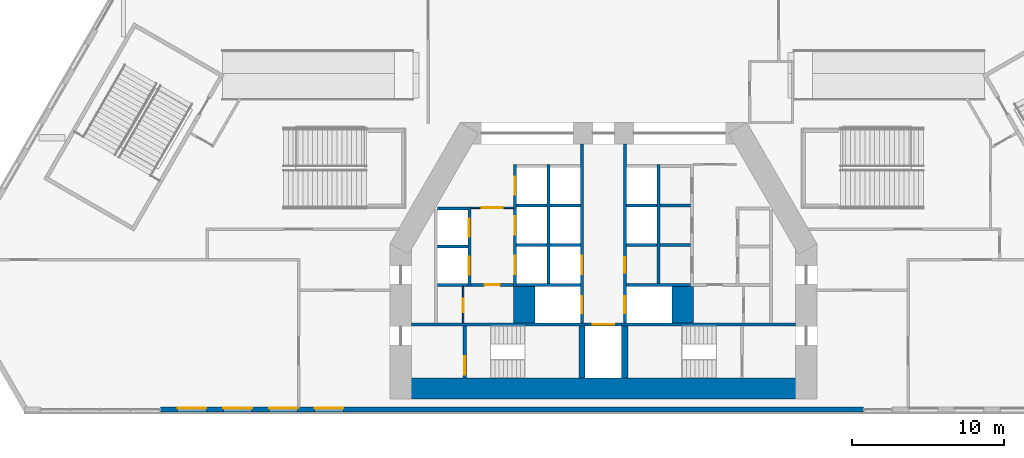
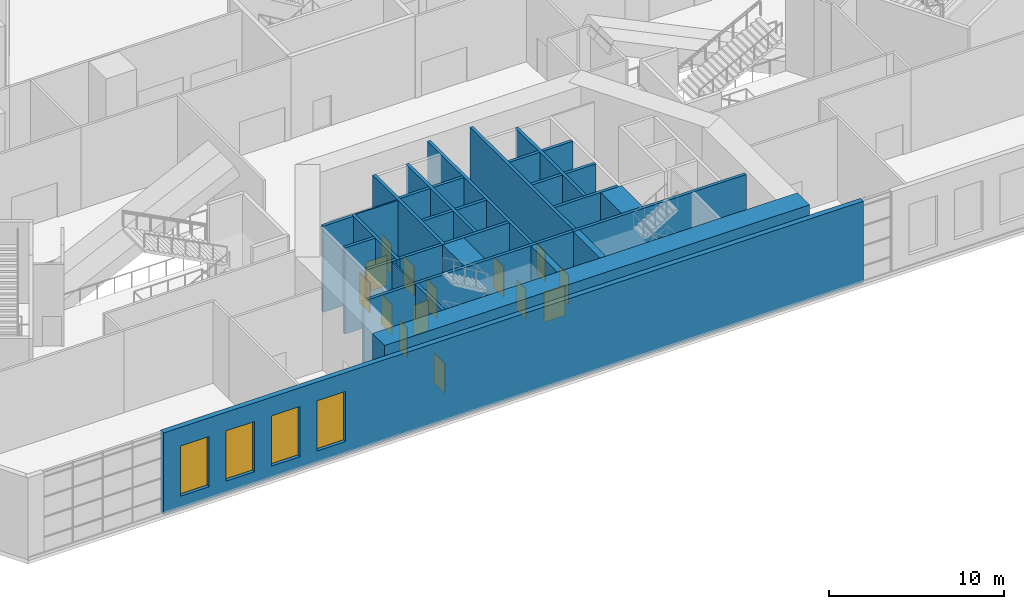
# One storey, part 15 of 27: 32 walls, 14 doors, 4 windows, 18 openings.
"""IFC4 building model written with IfcOpenShell, lengths in metres."""

from ifc_helpers import new_model, si_unit, direction, frame, frame_2d, origin, place, context, subcontext, project, spatial, rectangle, extrude, material, layer, layer_set, type_object, element, fill, save


model = new_model("IFC4")

# Units and contexts
model_context = context("Model", 3, precision=1e-05, world=origin(), true_north=direction((0.0, 1.0)))
body_context = subcontext(model_context, "Body", "Model", "MODEL_VIEW")
ifc_project = project(units=[si_unit("LENGTHUNIT", "METRE"), si_unit("AREAUNIT", "SQUARE_METRE"), si_unit("VOLUMEUNIT", "CUBIC_METRE"), si_unit("PLANEANGLEUNIT", "RADIAN"), si_unit("MASSUNIT", "GRAM", prefix="KILO")], contexts=[model_context])

# Site, building, storey
site_placement = place(None, origin())
site = spatial("IfcSite", under=ifc_project, at=site_placement, CompositionType="ELEMENT")
building_placement = place(site_placement, origin())
building = spatial("IfcBuilding", under=site, at=building_placement, Name="Fogline Exchange Tower", CompositionType="ELEMENT")
storey_placement = place(building_placement, frame((0.0, 0.0, 8.0)))
storey = spatial("IfcBuildingStorey", under=building, at=storey_placement, Name="L01", CompositionType="ELEMENT", Elevation=8.0)

# Wall, opening, door
ifc_material_1 = material(Name="Blockwork partition", Category="masonry")
ifc_layer_1 = layer(ifc_material_1, 0.10009765625)
ifc_layer_set_1 = layer_set([ifc_layer_1], Name="CW10")
wall_type_1 = type_object("IfcWallType", Name="CW10", PredefinedType="PARTITIONING", material=ifc_layer_set_1)
wall_1_placement = place(storey_placement, frame((-8.699951171875, 13.39990234375, 0.0), z_axis=(0.0, 0.0, 1.0), x_axis=(1.0, 0.0, 0.0)))
wall_1 = element("IfcWall", 1, at=wall_1_placement, inside=storey, type_object=wall_type_1, Name="Lift lobby partition", PredefinedType="PARTITIONING", context=body_context, shape_type="SweptSolid", body=[
    extrude(rectangle(XDim=2.800048828125, YDim=0.10009765625, at=frame_2d((1.39990234375, 0.0))), origin(), (0.0, 0.0, 1.0), 5.699951171875),
])
opening_1_placement = place(wall_1_placement, frame((0.699951171875, 0.0, 0.0)))
opening_1 = element("IfcOpeningElement", 2, at=opening_1_placement, cuts=wall_1, Name="Opening P01-C007", PredefinedType="OPENING", context=body_context, shape_type="SweptSolid", body=[
    extrude(rectangle(XDim=1.39990234375, YDim=2.10009765625, at=frame_2d((0.699951171875, 1.050048828125))), frame((0.0, 0.06005859375, 0.0), z_axis=(0.0, -1.0, 0.0), x_axis=(1.0, 0.0, 0.0)), (0.0, 0.0, 1.0), 0.1201171875),
])
ifc_material_2 = material(Name="Steel and timber fire door", Category="steel")
door_type_1 = type_object("IfcDoorType", Name="D-LB1", OperationType="DOUBLE_DOOR_SINGLE_SWING", PredefinedType="DOOR", material=ifc_material_2)
door_1_placement = place(opening_1_placement, frame((1.39990234375, 0.0, 0.0), z_axis=(0.0, 0.0, 1.0), x_axis=(-1.0, 0.0, 0.0)))
door_1 = element("IfcDoor", 3, at=door_1_placement, inside=storey, type_object=door_type_1, Name="Door to lift lobby", OperationType="DOUBLE_DOOR_SINGLE_SWING", OverallHeight=2.10009765625, OverallWidth=1.39990234375, PredefinedType="DOOR", context=body_context, shape_type="SweptSolid", body=[
    extrude(rectangle(XDim=1.39990234375, YDim=2.10009765625, at=frame_2d((0.699951171875, 1.050048828125))), frame((0.0, 0.02490234375, 0.0), z_axis=(0.0, -1.0, 0.0), x_axis=(1.0, 0.0, 0.0)), (0.0, 0.0, 1.0), 0.050048828125),
])
fill(opening_1, door_1)

wall_2_placement = place(storey_placement, frame((-9.199951171875, 5.85009765625, 0.0), z_axis=(0.0, 0.0, 1.0), x_axis=(0.0, 1.0, 0.0)))
wall_2 = element("IfcWall", 4, at=wall_2_placement, inside=storey, type_object=wall_type_1, Name="WC partition", PredefinedType="PARTITIONING", context=body_context, shape_type="SweptSolid", body=[
    extrude(rectangle(XDim=2.39990234375, YDim=0.10009765625, at=frame_2d((1.199951171875, 0.0))), origin(), (0.0, 0.0, 1.0), 5.699951171875),
])
opening_2_placement = place(wall_2_placement, frame((0.699951171875, 0.0, 0.0)))
opening_2 = element("IfcOpeningElement", 5, at=opening_2_placement, cuts=wall_2, Name="Opening P01-C009", PredefinedType="OPENING", context=body_context, shape_type="SweptSolid", body=[
    extrude(rectangle(XDim=0.89990234375, YDim=2.10009765625, at=frame_2d((0.449951171875, 1.050048828125))), frame((0.0, 0.06005859375, 0.0), z_axis=(0.0, -1.0, 0.0), x_axis=(1.0, 0.0, 0.0)), (0.0, 0.0, 1.0), 0.1201171875),
])
door_type_2 = type_object("IfcDoorType", Name="D-CS1", OperationType="SINGLE_SWING_RIGHT", PredefinedType="DOOR", material=ifc_material_2)
door_2_placement = place(opening_2_placement, origin())
door_2 = element("IfcDoor", 6, at=door_2_placement, inside=storey, type_object=door_type_2, Name="Door to Cleaner's Store", OperationType="SINGLE_SWING_LEFT", OverallHeight=2.10009765625, OverallWidth=0.89990234375, PredefinedType="DOOR", context=body_context, shape_type="SweptSolid", body=[
    extrude(rectangle(XDim=0.89990234375, YDim=2.10009765625, at=frame_2d((0.449951171875, 1.050048828125))), frame((0.0, 0.02490234375, 0.0), z_axis=(0.0, -1.0, 0.0), x_axis=(1.0, 0.0, 0.0)), (0.0, 0.0, 1.0), 0.050048828125),
])
fill(opening_2, door_2)

# Walls
ifc_material_3 = material(Name="Concrete C60", Category="concrete")
ifc_layer_2 = layer(ifc_material_3, 1.39990234375)
ifc_layer_set_2 = layer_set([ifc_layer_2], Name="CW140")
wall_type_2 = type_object("IfcWallType", Name="CW140", PredefinedType="SOLIDWALL", material=ifc_layer_set_2)
for number, where, z_axis, x_axis, name in (
    (7, (-5.199951171875, 5.85009765625, -0.300048828125), (0.0, 0.0, 1.0), (0.0, 1.0, 0.0), "Lift shaft block wall"),
    (8, (5.199951171875, 5.85009765625, -0.300048828125), (0.0, 0.0, 1.0), (0.0, 1.0, 0.0), "Lift shaft block wall"),
):
    element("IfcWall", number, at=place(storey_placement, frame(where, z_axis=z_axis, x_axis=x_axis)), inside=storey, type_object=wall_type_2, Name=name, PredefinedType="SOLIDWALL", context=body_context, shape_type="SweptSolid", body=[
        extrude(rectangle(XDim=2.39990234375, YDim=1.39990234375, at=frame_2d((1.199951171875, 0.0))), origin(), (0.0, 0.0, 1.0), 6.0),
    ])

# Wall, opening, door
ifc_material_4 = material(Name="Concrete C40", Category="concrete")
ifc_layer_3 = layer(ifc_material_4, 0.199951171875)
ifc_layer_set_3 = layer_set([ifc_layer_3], Name="CW20")
wall_type_3 = type_object("IfcWallType", Name="CW20", PredefinedType="SOLIDWALL", material=ifc_layer_set_3)
wall_3_placement = place(storey_placement, frame((-8.699951171875, 8.35009765625, 0.0), z_axis=(0.0, 0.0, 1.0), x_axis=(1.0, 0.0, 0.0)))
wall_3 = element("IfcWall", 9, at=wall_3_placement, inside=storey, type_object=wall_type_3, Name="WC wall", PredefinedType="SOLIDWALL", context=body_context, shape_type="SweptSolid", body=[
    extrude(rectangle(XDim=2.800048828125, YDim=0.199951171875, at=frame_2d((1.39990234375, 0.0))), origin(), (0.0, 0.0, 1.0), 5.699951171875),
])
opening_3_placement = place(wall_3_placement, frame((0.89990234375, 0.0, 0.0)))
opening_3 = element("IfcOpeningElement", 10, at=opening_3_placement, cuts=wall_3, Name="Opening P01-C008", PredefinedType="OPENING", context=body_context, shape_type="SweptSolid", body=[
    extrude(rectangle(XDim=1.0, YDim=2.10009765625, at=frame_2d((0.5, 1.050048828125))), frame((0.0, 0.10986328125, 0.0), z_axis=(0.0, -1.0, 0.0), x_axis=(1.0, 0.0, 0.0)), (0.0, 0.0, 1.0), 0.219970703125),
])
door_type_3 = type_object("IfcDoorType", Name="D-WC1", OperationType="SINGLE_SWING_LEFT", PredefinedType="DOOR", material=ifc_material_2)
door_3_placement = place(opening_3_placement, frame((1.0, 0.0, 0.0), z_axis=(0.0, 0.0, 1.0), x_axis=(-1.0, 0.0, 0.0)))
door_3 = element("IfcDoor", 11, at=door_3_placement, inside=storey, type_object=door_type_3, Name="Door to Men's WC", OperationType="SINGLE_SWING_LEFT", OverallHeight=2.10009765625, OverallWidth=1.0, PredefinedType="DOOR", context=body_context, shape_type="SweptSolid", body=[
    extrude(rectangle(XDim=1.0, YDim=2.10009765625, at=frame_2d((0.5, 1.050048828125))), frame((0.0, 0.02490234375, 0.0), z_axis=(0.0, -1.0, 0.0), x_axis=(1.0, 0.0, 0.0)), (0.0, 0.0, 1.0), 0.050048828125),
])
fill(opening_3, door_3)

# Wall
ifc_layer_4 = layer(ifc_material_4, 0.199951171875)
ifc_layer_set_4 = layer_set([ifc_layer_4], Name="CW20R")
wall_type_4 = type_object("IfcWallType", Name="CW20R", PredefinedType="SOLIDWALL", material=ifc_layer_set_4)
wall_4_placement = place(storey_placement, frame((-12.60009765625, 5.75, -0.300048828125), z_axis=(0.0, 0.0, 1.0), x_axis=(1.0, 0.0, 0.0)))
element("IfcWall", 12, at=wall_4_placement, inside=storey, type_object=wall_type_4, Name="Stair enclosure wall", PredefinedType="SOLIDWALL", context=body_context, shape_type="SweptSolid", body=[
    extrude(rectangle(XDim=11.400146484375, YDim=0.199951171875, at=frame_2d((5.7001953125, 0.0))), origin(), (0.0, 0.0, 1.0), 6.0),
])

# Wall, opening, door
wall_5_placement = place(storey_placement, frame((-1.199951171875, 5.75, -0.300048828125), z_axis=(0.0, 0.0, 1.0), x_axis=(1.0, 0.0, 0.0)))
wall_5 = element("IfcWall", 13, at=wall_5_placement, inside=storey, type_object=wall_type_4, Name="Stair enclosure wall", PredefinedType="SOLIDWALL", context=body_context, shape_type="SweptSolid", body=[
    extrude(rectangle(XDim=2.39990234375, YDim=0.199951171875, at=frame_2d((1.199951171875, 0.0))), origin(), (0.0, 0.0, 1.0), 6.0),
])
opening_4_placement = place(wall_5_placement, frame((0.5, 0.0, 0.300048828125)))
opening_4 = element("IfcOpeningElement", 14, at=opening_4_placement, cuts=wall_5, Name="Opening P01-LD09", PredefinedType="OPENING", context=body_context, shape_type="SweptSolid", body=[
    extrude(rectangle(XDim=1.39990234375, YDim=2.10009765625, at=frame_2d((0.699951171875, 1.050048828125))), frame((0.0, 0.10986328125, 0.0), z_axis=(0.0, -1.0, 0.0), x_axis=(1.0, 0.0, 0.0)), (0.0, 0.0, 1.0), 0.219970703125),
])
door_type_4 = type_object("IfcDoorType", Name="LD3", OperationType="SLIDING_TO_LEFT", PredefinedType="DOOR", material=ifc_material_2)
door_4_placement = place(opening_4_placement, origin())
door_4 = element("IfcDoor", 15, at=door_4_placement, inside=storey, type_object=door_type_4, Name="Landing door GL1", OperationType="SLIDING_TO_LEFT", OverallHeight=2.10009765625, OverallWidth=1.39990234375, PredefinedType="DOOR", context=body_context, shape_type="SweptSolid", body=[
    extrude(rectangle(XDim=1.39990234375, YDim=2.10009765625, at=frame_2d((0.699951171875, 1.050048828125))), frame((0.0, 0.02490234375, 0.0), z_axis=(0.0, -1.0, 0.0), x_axis=(1.0, 0.0, 0.0)), (0.0, 0.0, 1.0), 0.050048828125),
])
fill(opening_4, door_4)

# Wall
wall_6_placement = place(storey_placement, frame((1.199951171875, 5.75, -0.300048828125), z_axis=(0.0, 0.0, 1.0), x_axis=(1.0, 0.0, 0.0)))
element("IfcWall", 16, at=wall_6_placement, inside=storey, type_object=wall_type_4, Name="Stair enclosure wall", PredefinedType="SOLIDWALL", context=body_context, shape_type="SweptSolid", body=[
    extrude(rectangle(XDim=11.400146484375, YDim=0.199951171875, at=frame_2d((5.7001953125, 0.0))), origin(), (0.0, 0.0, 1.0), 6.0),
])

# Wall, opening, door
wall_7_placement = place(storey_placement, frame((-9.10009765625, 2.25, -0.300048828125), z_axis=(0.0, 0.0, 1.0), x_axis=(0.0, 1.0, 0.0)))
wall_7 = element("IfcWall", 17, at=wall_7_placement, inside=storey, type_object=wall_type_4, Name="Stair enclosure wall", PredefinedType="SOLIDWALL", context=body_context, shape_type="SweptSolid", body=[
    extrude(rectangle(XDim=3.39990234375, YDim=0.199951171875, at=frame_2d((1.699951171875, 0.0))), origin(), (0.0, 0.0, 1.0), 6.0),
])
opening_5_placement = place(wall_7_placement, frame((0.199951171875, 0.0, 0.300048828125)))
opening_5 = element("IfcOpeningElement", 18, at=opening_5_placement, cuts=wall_7, Name="Opening P01-C011", PredefinedType="OPENING", context=body_context, shape_type="SweptSolid", body=[
    extrude(rectangle(XDim=1.199951171875, YDim=2.10009765625, at=frame_2d((0.60009765625, 1.050048828125))), frame((0.0, 0.10986328125, 0.0), z_axis=(0.0, -1.0, 0.0), x_axis=(1.0, 0.0, 0.0)), (0.0, 0.0, 1.0), 0.219970703125),
])
door_type_5 = type_object("IfcDoorType", Name="D-ST1", OperationType="SINGLE_SWING_LEFT", PredefinedType="DOOR", material=ifc_material_2)
door_5_placement = place(opening_5_placement, frame((1.199951171875, 0.0, 0.0), z_axis=(0.0, 0.0, 1.0), x_axis=(-1.0, 0.0, 0.0)))
door_5 = element("IfcDoor", 19, at=door_5_placement, inside=storey, type_object=door_type_5, Name="Stair door ST1", OperationType="SINGLE_SWING_RIGHT", OverallHeight=2.10009765625, OverallWidth=1.199951171875, PredefinedType="DOOR", context=body_context, shape_type="SweptSolid", body=[
    extrude(rectangle(XDim=1.199951171875, YDim=2.10009765625, at=frame_2d((0.60009765625, 1.050048828125))), frame((0.0, 0.02490234375, 0.0), z_axis=(0.0, -1.0, 0.0), x_axis=(1.0, 0.0, 0.0)), (0.0, 0.0, 1.0), 0.050048828125),
])
fill(opening_5, door_5)

# Wall, openings, doors
ifc_layer_5 = layer(ifc_material_4, 0.199951171875)
ifc_layer_set_5 = layer_set([ifc_layer_5], Name="CW20S")
wall_type_5 = type_object("IfcWallType", Name="CW20S", PredefinedType="SOLIDWALL", material=ifc_layer_set_5)
wall_8_placement = place(storey_placement, frame((-8.800048828125, 8.25, -0.300048828125), z_axis=(0.0, 0.0, 1.0), x_axis=(0.0, 1.0, 0.0)))
wall_8 = element("IfcWall", 20, at=wall_8_placement, inside=storey, type_object=wall_type_5, Name="Lift shaft wall", PredefinedType="SOLIDWALL", context=body_context, shape_type="SweptSolid", body=[
    extrude(rectangle(XDim=5.199951171875, YDim=0.199951171875, at=frame_2d((2.60009765625, 0.0))), origin(), (0.0, 0.0, 1.0), 6.0),
])
opening_6_placement = place(wall_8_placement, frame((0.75, 0.0, 0.300048828125)))
opening_6 = element("IfcOpeningElement", 21, at=opening_6_placement, cuts=wall_8, Name="Opening P01-LD01", PredefinedType="OPENING", context=body_context, shape_type="SweptSolid", body=[
    extrude(rectangle(XDim=1.199951171875, YDim=2.10009765625, at=frame_2d((0.60009765625, 1.050048828125))), frame((0.0, 0.10986328125, 0.0), z_axis=(0.0, -1.0, 0.0), x_axis=(1.0, 0.0, 0.0)), (0.0, 0.0, 1.0), 0.219970703125),
])
opening_7_placement = place(wall_8_placement, frame((3.25, 0.0, 0.300048828125)))
opening_7 = element("IfcOpeningElement", 22, at=opening_7_placement, cuts=wall_8, Name="Opening P01-LD02", PredefinedType="OPENING", context=body_context, shape_type="SweptSolid", body=[
    extrude(rectangle(XDim=1.199951171875, YDim=2.10009765625, at=frame_2d((0.60009765625, 1.050048828125))), frame((0.0, 0.10986328125, 0.0), z_axis=(0.0, -1.0, 0.0), x_axis=(1.0, 0.0, 0.0)), (0.0, 0.0, 1.0), 0.219970703125),
])
door_type_6 = type_object("IfcDoorType", Name="LD1", OperationType="SLIDING_TO_LEFT", PredefinedType="DOOR", material=ifc_material_2)
door_6_placement = place(opening_6_placement, origin())
door_6 = element("IfcDoor", 23, at=door_6_placement, inside=storey, type_object=door_type_6, Name="Landing door LR1", OperationType="SLIDING_TO_LEFT", OverallHeight=2.10009765625, OverallWidth=1.199951171875, PredefinedType="DOOR", context=body_context, shape_type="SweptSolid", body=[
    extrude(rectangle(XDim=1.199951171875, YDim=2.10009765625, at=frame_2d((0.60009765625, 1.050048828125))), frame((0.0, 0.02490234375, 0.0), z_axis=(0.0, -1.0, 0.0), x_axis=(1.0, 0.0, 0.0)), (0.0, 0.0, 1.0), 0.050048828125),
])
fill(opening_6, door_6)
door_7_placement = place(opening_7_placement, origin())
door_7 = element("IfcDoor", 24, at=door_7_placement, inside=storey, type_object=door_type_6, Name="Landing door LR2", OperationType="SLIDING_TO_LEFT", OverallHeight=2.10009765625, OverallWidth=1.199951171875, PredefinedType="DOOR", context=body_context, shape_type="SweptSolid", body=[
    extrude(rectangle(XDim=1.199951171875, YDim=2.10009765625, at=frame_2d((0.60009765625, 1.050048828125))), frame((0.0, 0.02490234375, 0.0), z_axis=(0.0, -1.0, 0.0), x_axis=(1.0, 0.0, 0.0)), (0.0, 0.0, 1.0), 0.050048828125),
])
fill(opening_7, door_7)

wall_9_placement = place(storey_placement, frame((-5.800048828125, 8.25, -0.300048828125), z_axis=(0.0, 0.0, 1.0), x_axis=(0.0, 1.0, 0.0)))
wall_9 = element("IfcWall", 25, at=wall_9_placement, inside=storey, type_object=wall_type_5, Name="Lift shaft wall", PredefinedType="SOLIDWALL", context=body_context, shape_type="SweptSolid", body=[
    extrude(rectangle(XDim=8.0, YDim=0.199951171875, at=frame_2d((4.0, 0.0))), origin(), (0.0, 0.0, 1.0), 6.0),
])
opening_8_placement = place(wall_9_placement, frame((0.800048828125, 0.0, 0.300048828125)))
opening_8 = element("IfcOpeningElement", 26, at=opening_8_placement, cuts=wall_9, Name="Opening P01-LD03", PredefinedType="OPENING", context=body_context, shape_type="SweptSolid", body=[
    extrude(rectangle(XDim=1.199951171875, YDim=2.10009765625, at=frame_2d((0.60009765625, 1.050048828125))), frame((0.0, 0.10986328125, 0.0), z_axis=(0.0, -1.0, 0.0), x_axis=(1.0, 0.0, 0.0)), (0.0, 0.0, 1.0), 0.219970703125),
])
opening_9_placement = place(wall_9_placement, frame((3.39990234375, 0.0, 0.300048828125)))
opening_9 = element("IfcOpeningElement", 27, at=opening_9_placement, cuts=wall_9, Name="Opening P01-LD04", PredefinedType="OPENING", context=body_context, shape_type="SweptSolid", body=[
    extrude(rectangle(XDim=1.199951171875, YDim=2.10009765625, at=frame_2d((0.60009765625, 1.050048828125))), frame((0.0, 0.10986328125, 0.0), z_axis=(0.0, -1.0, 0.0), x_axis=(1.0, 0.0, 0.0)), (0.0, 0.0, 1.0), 0.219970703125),
])
opening_10_placement = place(wall_9_placement, frame((6.0, 0.0, 0.300048828125)))
opening_10 = element("IfcOpeningElement", 28, at=opening_10_placement, cuts=wall_9, Name="Opening P01-LD05", PredefinedType="OPENING", context=body_context, shape_type="SweptSolid", body=[
    extrude(rectangle(XDim=1.199951171875, YDim=2.10009765625, at=frame_2d((0.60009765625, 1.050048828125))), frame((0.0, 0.10986328125, 0.0), z_axis=(0.0, -1.0, 0.0), x_axis=(1.0, 0.0, 0.0)), (0.0, 0.0, 1.0), 0.219970703125),
])
door_8_placement = place(opening_8_placement, origin())
door_8 = element("IfcDoor", 29, at=door_8_placement, inside=storey, type_object=door_type_6, Name="Landing door LR3", OperationType="SLIDING_TO_LEFT", OverallHeight=2.10009765625, OverallWidth=1.199951171875, PredefinedType="DOOR", context=body_context, shape_type="SweptSolid", body=[
    extrude(rectangle(XDim=1.199951171875, YDim=2.10009765625, at=frame_2d((0.60009765625, 1.050048828125))), frame((0.0, 0.02490234375, 0.0), z_axis=(0.0, -1.0, 0.0), x_axis=(1.0, 0.0, 0.0)), (0.0, 0.0, 1.0), 0.050048828125),
])
fill(opening_8, door_8)
door_9_placement = place(opening_9_placement, origin())
door_9 = element("IfcDoor", 30, at=door_9_placement, inside=storey, type_object=door_type_6, Name="Landing door LR4", OperationType="SLIDING_TO_LEFT", OverallHeight=2.10009765625, OverallWidth=1.199951171875, PredefinedType="DOOR", context=body_context, shape_type="SweptSolid", body=[
    extrude(rectangle(XDim=1.199951171875, YDim=2.10009765625, at=frame_2d((0.60009765625, 1.050048828125))), frame((0.0, 0.02490234375, 0.0), z_axis=(0.0, -1.0, 0.0), x_axis=(1.0, 0.0, 0.0)), (0.0, 0.0, 1.0), 0.050048828125),
])
fill(opening_9, door_9)
door_10_placement = place(opening_10_placement, origin())
door_10 = element("IfcDoor", 31, at=door_10_placement, inside=storey, type_object=door_type_6, Name="Landing door LR5", OperationType="SLIDING_TO_LEFT", OverallHeight=2.10009765625, OverallWidth=1.199951171875, PredefinedType="DOOR", context=body_context, shape_type="SweptSolid", body=[
    extrude(rectangle(XDim=1.199951171875, YDim=2.10009765625, at=frame_2d((0.60009765625, 1.050048828125))), frame((0.0, 0.02490234375, 0.0), z_axis=(0.0, -1.0, 0.0), x_axis=(1.0, 0.0, 0.0)), (0.0, 0.0, 1.0), 0.050048828125),
])
fill(opening_10, door_10)

# Walls
for number, where, z_axis, x_axis, name in (
    (32, (-3.60009765625, 8.449951171875, -0.300048828125), (0.0, 0.0, 1.0), (0.0, 1.0, 0.0), "Lift shaft wall"),
    (33, (3.60009765625, 8.449951171875, -0.300048828125), (0.0, 0.0, 1.0), (0.0, 1.0, 0.0), "Lift shaft wall"),
):
    element("IfcWall", number, at=place(storey_placement, frame(where, z_axis=z_axis, x_axis=x_axis)), inside=storey, type_object=wall_type_5, Name=name, PredefinedType="SOLIDWALL", context=body_context, shape_type="SweptSolid", body=[
        extrude(rectangle(XDim=7.800048828125, YDim=0.199951171875, at=frame_2d((3.89990234375, 0.0))), origin(), (0.0, 0.0, 1.0), 6.0),
    ])

# Wall, openings, doors
wall_10_placement = place(storey_placement, frame((-1.39990234375, 5.85009765625, -0.300048828125), z_axis=(0.0, 0.0, 1.0), x_axis=(0.0, 1.0, 0.0)))
wall_10 = element("IfcWall", 34, at=wall_10_placement, inside=storey, type_object=wall_type_5, Name="Lift lobby wall", PredefinedType="SOLIDWALL", context=body_context, shape_type="SweptSolid", body=[
    extrude(rectangle(XDim=11.75, YDim=0.199951171875, at=frame_2d((5.875, 0.0))), origin(), (0.0, 0.0, 1.0), 6.0),
])
opening_11_placement = place(wall_10_placement, frame((3.199951171875, 0.0, 0.300048828125)))
opening_11 = element("IfcOpeningElement", 35, at=opening_11_placement, cuts=wall_10, Name="Opening P01-LD06", PredefinedType="OPENING", context=body_context, shape_type="SweptSolid", body=[
    extrude(rectangle(XDim=1.199951171875, YDim=2.10009765625, at=frame_2d((0.60009765625, 1.050048828125))), frame((0.0, 0.10986328125, 0.0), z_axis=(0.0, -1.0, 0.0), x_axis=(1.0, 0.0, 0.0)), (0.0, 0.0, 1.0), 0.219970703125),
])
opening_12_placement = place(wall_10_placement, frame((0.64990234375, 0.0, 0.300048828125)))
opening_12 = element("IfcOpeningElement", 36, at=opening_12_placement, cuts=wall_10, Name="Opening P01-LD07", PredefinedType="OPENING", context=body_context, shape_type="SweptSolid", body=[
    extrude(rectangle(XDim=1.10009765625, YDim=2.10009765625, at=frame_2d((0.550048828125, 1.050048828125))), frame((0.0, 0.10986328125, 0.0), z_axis=(0.0, -1.0, 0.0), x_axis=(1.0, 0.0, 0.0)), (0.0, 0.0, 1.0), 0.219970703125),
])
door_11_placement = place(opening_11_placement, origin())
door_11 = element("IfcDoor", 37, at=door_11_placement, inside=storey, type_object=door_type_6, Name="Landing door LR6", OperationType="SLIDING_TO_LEFT", OverallHeight=2.10009765625, OverallWidth=1.199951171875, PredefinedType="DOOR", context=body_context, shape_type="SweptSolid", body=[
    extrude(rectangle(XDim=1.199951171875, YDim=2.10009765625, at=frame_2d((0.60009765625, 1.050048828125))), frame((0.0, 0.02490234375, 0.0), z_axis=(0.0, -1.0, 0.0), x_axis=(1.0, 0.0, 0.0)), (0.0, 0.0, 1.0), 0.050048828125),
])
fill(opening_11, door_11)
door_type_7 = type_object("IfcDoorType", Name="LD2", OperationType="SLIDING_TO_RIGHT", PredefinedType="DOOR", material=ifc_material_2)
door_12_placement = place(opening_12_placement, origin())
door_12 = element("IfcDoor", 38, at=door_12_placement, inside=storey, type_object=door_type_7, Name="Landing door FF1", OperationType="SLIDING_TO_RIGHT", OverallHeight=2.10009765625, OverallWidth=1.10009765625, PredefinedType="DOOR", context=body_context, shape_type="SweptSolid", body=[
    extrude(rectangle(XDim=1.10009765625, YDim=2.10009765625, at=frame_2d((0.550048828125, 1.050048828125))), frame((0.0, 0.02490234375, 0.0), z_axis=(0.0, -1.0, 0.0), x_axis=(1.0, 0.0, 0.0)), (0.0, 0.0, 1.0), 0.050048828125),
])
fill(opening_12, door_12)

wall_11_placement = place(storey_placement, frame((1.39990234375, 5.85009765625, -0.300048828125), z_axis=(0.0, 0.0, 1.0), x_axis=(0.0, 1.0, 0.0)))
wall_11 = element("IfcWall", 39, at=wall_11_placement, inside=storey, type_object=wall_type_5, Name="Lift lobby wall", PredefinedType="SOLIDWALL", context=body_context, shape_type="SweptSolid", body=[
    extrude(rectangle(XDim=11.75, YDim=0.199951171875, at=frame_2d((5.875, 0.0))), origin(), (0.0, 0.0, 1.0), 6.0),
])
opening_13_placement = place(wall_11_placement, frame((0.64990234375, 0.0, 0.300048828125)))
opening_13 = element("IfcOpeningElement", 40, at=opening_13_placement, cuts=wall_11, Name="Opening P01-LD08", PredefinedType="OPENING", context=body_context, shape_type="SweptSolid", body=[
    extrude(rectangle(XDim=1.10009765625, YDim=2.10009765625, at=frame_2d((0.550048828125, 1.050048828125))), frame((0.0, 0.10986328125, 0.0), z_axis=(0.0, -1.0, 0.0), x_axis=(1.0, 0.0, 0.0)), (0.0, 0.0, 1.0), 0.219970703125),
])
opening_14_placement = place(wall_11_placement, frame((3.300048828125, 0.0, 0.300048828125)))
opening_14 = element("IfcOpeningElement", 41, at=opening_14_placement, cuts=wall_11, Name="Opening P01-C006", PredefinedType="OPENING", context=body_context, shape_type="SweptSolid", body=[
    extrude(rectangle(XDim=1.0, YDim=2.10009765625, at=frame_2d((0.5, 1.050048828125))), frame((0.0, 0.10986328125, 0.0), z_axis=(0.0, -1.0, 0.0), x_axis=(1.0, 0.0, 0.0)), (0.0, 0.0, 1.0), 0.219970703125),
])
door_type_8 = type_object("IfcDoorType", Name="D-RM1", OperationType="SINGLE_SWING_LEFT", PredefinedType="DOOR", material=ifc_material_2)
door_13_placement = place(opening_14_placement, frame((1.0, 0.0, 0.0), z_axis=(0.0, 0.0, 1.0), x_axis=(-1.0, 0.0, 0.0)))
door_13 = element("IfcDoor", 42, at=door_13_placement, inside=storey, type_object=door_type_8, Name="Door to Server Room", OperationType="SINGLE_SWING_RIGHT", OverallHeight=2.10009765625, OverallWidth=1.0, PredefinedType="DOOR", context=body_context, shape_type="SweptSolid", body=[
    extrude(rectangle(XDim=1.0, YDim=2.10009765625, at=frame_2d((0.5, 1.050048828125))), frame((0.0, 0.02490234375, 0.0), z_axis=(0.0, -1.0, 0.0), x_axis=(1.0, 0.0, 0.0)), (0.0, 0.0, 1.0), 0.050048828125),
])
fill(opening_14, door_13)
door_14_placement = place(opening_13_placement, origin())
door_14 = element("IfcDoor", 43, at=door_14_placement, inside=storey, type_object=door_type_7, Name="Landing door FF2", OperationType="SLIDING_TO_RIGHT", OverallHeight=2.10009765625, OverallWidth=1.10009765625, PredefinedType="DOOR", context=body_context, shape_type="SweptSolid", body=[
    extrude(rectangle(XDim=1.10009765625, YDim=2.10009765625, at=frame_2d((0.550048828125, 1.050048828125))), frame((0.0, 0.02490234375, 0.0), z_axis=(0.0, -1.0, 0.0), x_axis=(1.0, 0.0, 0.0)), (0.0, 0.0, 1.0), 0.050048828125),
])
fill(opening_13, door_14)

# Walls
wall_12_placement = place(storey_placement, frame((-10.89990234375, 8.35009765625, -0.300048828125), z_axis=(0.0, 0.0, 1.0), x_axis=(1.0, 0.0, 0.0)))
element("IfcWall", 44, at=wall_12_placement, inside=storey, type_object=wall_type_5, Name="Lift shaft wall", PredefinedType="SOLIDWALL", context=body_context, shape_type="SweptSolid", body=[
    extrude(rectangle(XDim=2.0, YDim=0.199951171875, at=frame_2d((1.0, 0.0))), origin(), (0.0, 0.0, 1.0), 6.0),
])
for number, where, z_axis, x_axis, name in (
    (45, (-5.699951171875, 8.35009765625, -0.300048828125), (0.0, 0.0, 1.0), (1.0, 0.0, 0.0), "Lift shaft wall"),
    (46, (1.5, 8.35009765625, -0.300048828125), (0.0, 0.0, 1.0), (1.0, 0.0, 0.0), "Lift shaft wall"),
):
    element("IfcWall", number, at=place(storey_placement, frame(where, z_axis=z_axis, x_axis=x_axis)), inside=storey, type_object=wall_type_5, Name=name, PredefinedType="SOLIDWALL", context=body_context, shape_type="SweptSolid", body=[
        extrude(rectangle(XDim=4.199951171875, YDim=0.199951171875, at=frame_2d((2.10009765625, 0.0))), origin(), (0.0, 0.0, 1.0), 6.0),
    ])
for number, where, z_axis, x_axis, name in (
    (47, (-10.89990234375, 10.85009765625, -0.300048828125), (0.0, 0.0, 1.0), (1.0, 0.0, 0.0), "Lift shaft wall"),
    (48, (-10.89990234375, 13.35009765625, -0.300048828125), (0.0, 0.0, 1.0), (1.0, 0.0, 0.0), "Lift shaft wall"),
    (49, (-5.699951171875, 10.949951171875, -0.300048828125), (0.0, 0.0, 1.0), (1.0, 0.0, 0.0), "Lift shaft wall"),
    (50, (-5.699951171875, 13.550048828125, -0.300048828125), (0.0, 0.0, 1.0), (1.0, 0.0, 0.0), "Lift shaft wall"),
    (51, (-3.5, 10.949951171875, -0.300048828125), (0.0, 0.0, 1.0), (1.0, 0.0, 0.0), "Lift shaft wall"),
    (52, (-3.5, 13.550048828125, -0.300048828125), (0.0, 0.0, 1.0), (1.0, 0.0, 0.0), "Lift shaft wall"),
    (53, (3.699951171875, 10.949951171875, -0.300048828125), (0.0, 0.0, 1.0), (1.0, 0.0, 0.0), "Lift shaft wall"),
    (54, (3.699951171875, 13.550048828125, -0.300048828125), (0.0, 0.0, 1.0), (1.0, 0.0, 0.0), "Lift shaft wall"),
    (55, (1.5, 10.949951171875, -0.300048828125), (0.0, 0.0, 1.0), (1.0, 0.0, 0.0), "Lift shaft wall"),
    (56, (1.5, 13.550048828125, -0.300048828125), (0.0, 0.0, 1.0), (1.0, 0.0, 0.0), "Lift shaft wall"),
):
    element("IfcWall", number, at=place(storey_placement, frame(where, z_axis=z_axis, x_axis=x_axis)), inside=storey, type_object=wall_type_5, Name=name, PredefinedType="SOLIDWALL", context=body_context, shape_type="SweptSolid", body=[
        extrude(rectangle(XDim=2.0, YDim=0.199951171875, at=frame_2d((1.0, 0.0))), origin(), (0.0, 0.0, 1.0), 6.0),
    ])
ifc_layer_6 = layer(ifc_material_4, 0.39990234375)
ifc_layer_set_6 = layer_set([ifc_layer_6], Name="CW40R")
wall_type_6 = type_object("IfcWallType", Name="CW40R", PredefinedType="SOLIDWALL", material=ifc_layer_set_6)
for number, where, z_axis, x_axis, name in (
    (57, (-1.39990234375, 2.25, -0.300048828125), (0.0, 0.0, 1.0), (0.0, 1.0, 0.0), "Stair and lift shaft wall"),
    (58, (1.39990234375, 2.25, -0.300048828125), (0.0, 0.0, 1.0), (0.0, 1.0, 0.0), "Stair and lift shaft wall"),
):
    element("IfcWall", number, at=place(storey_placement, frame(where, z_axis=z_axis, x_axis=x_axis)), inside=storey, type_object=wall_type_6, Name=name, PredefinedType="SOLIDWALL", context=body_context, shape_type="SweptSolid", body=[
        extrude(rectangle(XDim=3.39990234375, YDim=0.39990234375, at=frame_2d((1.699951171875, 0.0))), origin(), (0.0, 0.0, 1.0), 6.0),
    ])

# Wall, openings, windows
ifc_material_5 = material(Name="Brick masonry", Category="masonry")
ifc_layer_7 = layer(ifc_material_5, 0.340087890625)
ifc_layer_set_7 = layer_set([ifc_layer_7], Name="FW1")
wall_type_7 = type_object("IfcWallType", Name="FW1", PredefinedType="SOLIDWALL", material=ifc_layer_set_7)
wall_13_placement = place(storey_placement, frame((-29.0576171875, 0.169921875, 0.0), z_axis=(0.0, 0.0, 1.0), x_axis=(1.0, 0.0, 0.0)))
wall_13 = element("IfcWall", 59, at=wall_13_placement, inside=storey, type_object=wall_type_7, Name="Brick wall L01 S bay 2", PredefinedType="SOLIDWALL", context=body_context, shape_type="SweptSolid", body=[
    extrude(rectangle(XDim=46.115234375, YDim=0.340087890625, at=frame_2d((23.0576171875, 0.0))), origin(), (0.0, 0.0, 1.0), 5.699951171875),
])
opening_15_placement = place(wall_13_placement, frame((1.114990234375, 0.0, 0.89990234375)))
opening_15 = element("IfcOpeningElement", 60, at=opening_15_placement, cuts=wall_13, Name="Opening W7", PredefinedType="OPENING", context=body_context, shape_type="SweptSolid", body=[
    extrude(rectangle(XDim=1.885009765625, YDim=3.5, at=frame_2d((0.9423828125, 1.75))), frame((0.0, 0.18017578125, 0.0), z_axis=(0.0, -1.0, 0.0), x_axis=(1.0, 0.0, 0.0)), (0.0, 0.0, 1.0), 0.360107421875),
])
opening_16_placement = place(wall_13_placement, frame((4.114990234375, 0.0, 0.89990234375)))
opening_16 = element("IfcOpeningElement", 61, at=opening_16_placement, cuts=wall_13, Name="Opening W7", PredefinedType="OPENING", context=body_context, shape_type="SweptSolid", body=[
    extrude(rectangle(XDim=1.885009765625, YDim=3.5, at=frame_2d((0.9423828125, 1.75))), frame((0.0, 0.18017578125, 0.0), z_axis=(0.0, -1.0, 0.0), x_axis=(1.0, 0.0, 0.0)), (0.0, 0.0, 1.0), 0.360107421875),
])
opening_17_placement = place(wall_13_placement, frame((7.114990234375, 0.0, 0.89990234375)))
opening_17 = element("IfcOpeningElement", 62, at=opening_17_placement, cuts=wall_13, Name="Opening W7", PredefinedType="OPENING", context=body_context, shape_type="SweptSolid", body=[
    extrude(rectangle(XDim=1.885009765625, YDim=3.5, at=frame_2d((0.9423828125, 1.75))), frame((0.0, 0.18017578125, 0.0), z_axis=(0.0, -1.0, 0.0), x_axis=(1.0, 0.0, 0.0)), (0.0, 0.0, 1.0), 0.360107421875),
])
opening_18_placement = place(wall_13_placement, frame((10.114990234375, 0.0, 0.89990234375)))
opening_18 = element("IfcOpeningElement", 63, at=opening_18_placement, cuts=wall_13, Name="Opening W7", PredefinedType="OPENING", context=body_context, shape_type="SweptSolid", body=[
    extrude(rectangle(XDim=1.885009765625, YDim=3.5, at=frame_2d((0.9423828125, 1.75))), frame((0.0, 0.18017578125, 0.0), z_axis=(0.0, -1.0, 0.0), x_axis=(1.0, 0.0, 0.0)), (0.0, 0.0, 1.0), 0.360107421875),
])
ifc_material_6 = material(Name="Aluminium and glass", Category="aluminium")
window_type = type_object("IfcWindowType", Name="W7", PartitioningType="SINGLE_PANEL", PredefinedType="WINDOW", material=ifc_material_6)
window_1_placement = place(opening_15_placement, origin())
window_1 = element("IfcWindow", 64, at=window_1_placement, inside=storey, type_object=window_type, Name="W7 W7", OverallHeight=3.5, OverallWidth=1.885009765625, PartitioningType="SINGLE_PANEL", PredefinedType="WINDOW", context=body_context, shape_type="SweptSolid", body=[
    extrude(rectangle(XDim=1.885009765625, YDim=3.5, at=frame_2d((0.9423828125, 1.75))), frame((0.0, 0.110107421875, 0.0), z_axis=(0.0, -1.0, 0.0), x_axis=(1.0, 0.0, 0.0)), (0.0, 0.0, 1.0), 0.06005859375),
])
fill(opening_15, window_1)
window_2_placement = place(opening_16_placement, origin())
window_2 = element("IfcWindow", 65, at=window_2_placement, inside=storey, type_object=window_type, Name="W7 W7", OverallHeight=3.5, OverallWidth=1.885009765625, PartitioningType="SINGLE_PANEL", PredefinedType="WINDOW", context=body_context, shape_type="SweptSolid", body=[
    extrude(rectangle(XDim=1.885009765625, YDim=3.5, at=frame_2d((0.9423828125, 1.75))), frame((0.0, 0.110107421875, 0.0), z_axis=(0.0, -1.0, 0.0), x_axis=(1.0, 0.0, 0.0)), (0.0, 0.0, 1.0), 0.06005859375),
])
fill(opening_16, window_2)
window_3_placement = place(opening_17_placement, origin())
window_3 = element("IfcWindow", 66, at=window_3_placement, inside=storey, type_object=window_type, Name="W7 W7", OverallHeight=3.5, OverallWidth=1.885009765625, PartitioningType="SINGLE_PANEL", PredefinedType="WINDOW", context=body_context, shape_type="SweptSolid", body=[
    extrude(rectangle(XDim=1.885009765625, YDim=3.5, at=frame_2d((0.9423828125, 1.75))), frame((0.0, 0.110107421875, 0.0), z_axis=(0.0, -1.0, 0.0), x_axis=(1.0, 0.0, 0.0)), (0.0, 0.0, 1.0), 0.06005859375),
])
fill(opening_17, window_3)
window_4_placement = place(opening_18_placement, origin())
window_4 = element("IfcWindow", 67, at=window_4_placement, inside=storey, type_object=window_type, Name="W7 W7", OverallHeight=3.5, OverallWidth=1.885009765625, PartitioningType="SINGLE_PANEL", PredefinedType="WINDOW", context=body_context, shape_type="SweptSolid", body=[
    extrude(rectangle(XDim=1.885009765625, YDim=3.5, at=frame_2d((0.9423828125, 1.75))), frame((0.0, 0.110107421875, 0.0), z_axis=(0.0, -1.0, 0.0), x_axis=(1.0, 0.0, 0.0)), (0.0, 0.0, 1.0), 0.06005859375),
])
fill(opening_18, window_4)

# Wall
ifc_layer_8 = layer(ifc_material_3, 1.39990234375)
ifc_layer_set_8 = layer_set([ifc_layer_8], Name="SW01")
wall_type_8 = type_object("IfcWallType", Name="SW01", PredefinedType="SHEAR", material=ifc_layer_set_8)
wall_14_placement = place(storey_placement, frame((-14.0, 1.550048828125, 0.0), z_axis=(0.0, 0.0, 1.0), x_axis=(1.0, 0.0, 0.0)))
element("IfcWall", 68, at=wall_14_placement, inside=storey, type_object=wall_type_8, Name="L01-W901", PredefinedType="SHEAR", context=body_context, shape_type="SweptSolid", body=[
    extrude(rectangle(XDim=28.0, YDim=1.39990234375, at=frame_2d((14.0, 0.0))), origin(), (0.0, 0.0, 1.0), 6.0),
])

save(model, "model.ifc")
